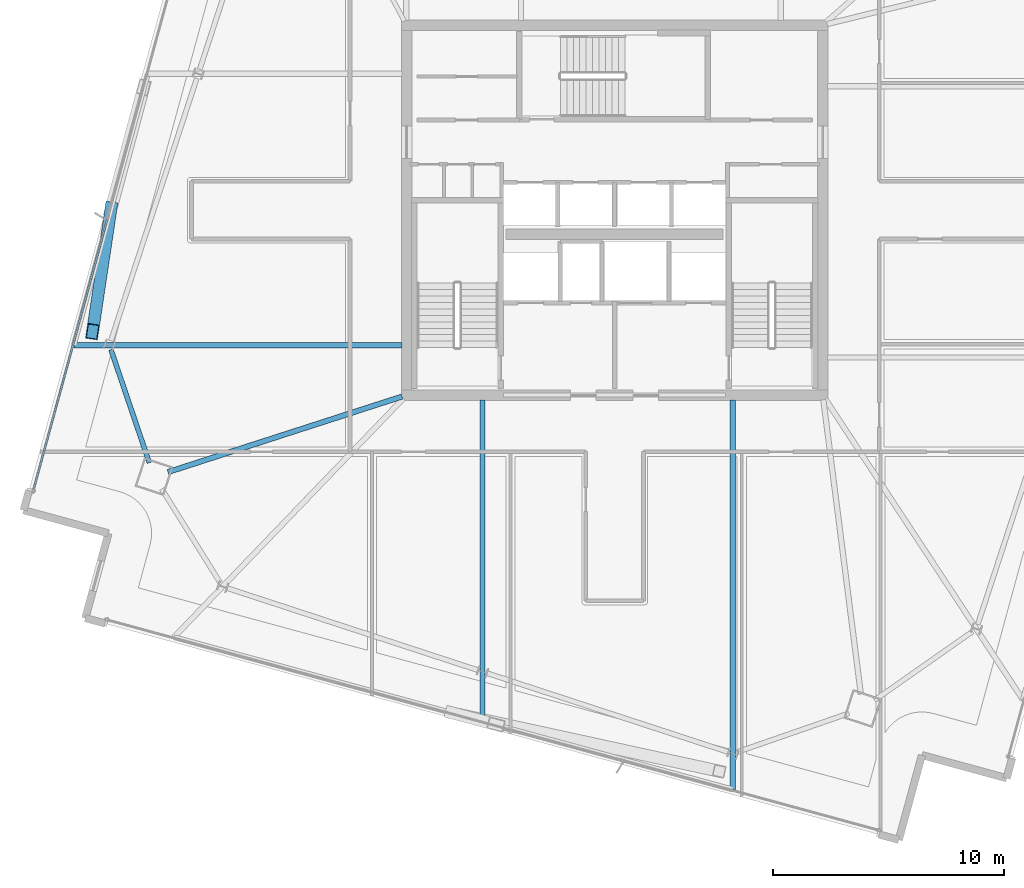
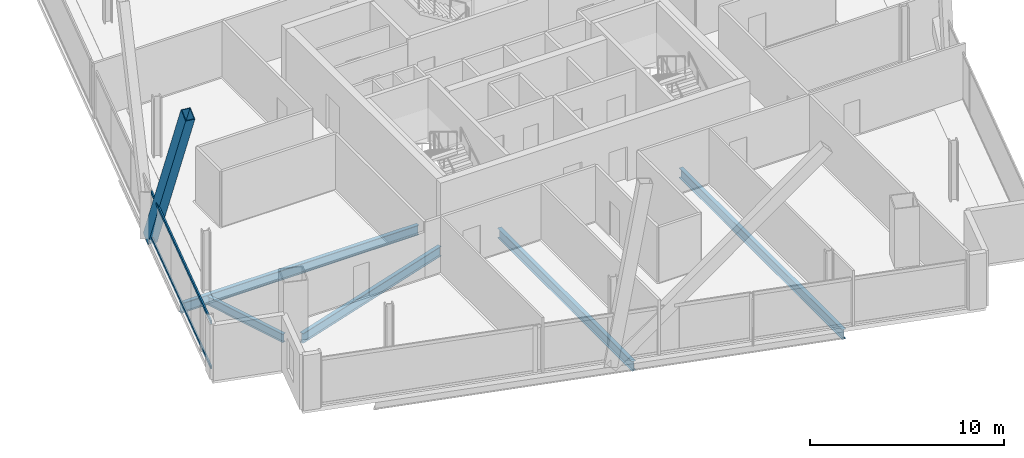
# One storey, part 4 of 26: 5 beams, 3 members, 1 element without a shape of its own.
"""IFC4 building model written with IfcOpenShell, lengths in metres."""

from ifc_helpers import new_model, si_unit, direction, frame, origin, origin_2d, place, context, subcontext, project, spatial, hollow_rectangle, i_section, extrude, material, material_profile, profile_set, type_object, element, aggregate, save


model = new_model("IFC4")

# Units and contexts
model_context = context("Model", 3, precision=1e-05, world=origin(), true_north=direction((0.0, 1.0)))
body_context = subcontext(model_context, "Body", "Model", "MODEL_VIEW")
ifc_project = project(units=[si_unit("LENGTHUNIT", "METRE"), si_unit("AREAUNIT", "SQUARE_METRE"), si_unit("VOLUMEUNIT", "CUBIC_METRE"), si_unit("PLANEANGLEUNIT", "RADIAN"), si_unit("MASSUNIT", "GRAM", prefix="KILO")], contexts=[model_context])

# Site, building, storey
site_placement = place(None, origin())
site = spatial("IfcSite", under=ifc_project, at=site_placement, CompositionType="ELEMENT")
building_placement = place(site_placement, origin())
building = spatial("IfcBuilding", under=site, at=building_placement, Name="Haldenkirk Collegiate Tower", CompositionType="ELEMENT")
storey_placement = place(building_placement, frame((0.0, 0.0, 278.699951171875)))
storey = spatial("IfcBuildingStorey", under=building, at=storey_placement, Name="L70", CompositionType="ELEMENT", Elevation=278.699951171875)

# Beams
ifc_material_1 = material(Name="Steel ASTM A992 Grade 50", Category="steel")
ifc_material_profile_1 = material_profile(ifc_material_1, i_section(OverallWidth=0.22998046875, OverallDepth=0.616943359375, WebThickness=0.01318359375, FlangeThickness=0.022216796875, at=origin_2d()), Name="W24X94")
ifc_profile_set_1 = profile_set([ifc_material_profile_1], Name="Steel ASTM A992 Grade 50")
beam_type_1 = type_object("IfcBeamType", Name="BM-GIRDER-W24X94", PredefinedType="BEAM", material=ifc_profile_set_1)
beam_1_placement = place(storey_placement, frame((16.677001953125, 14.66796875, -0.578369140625), z_axis=(0.95165454957, 0.307170340824, 0.0), x_axis=(-0.307170340824, 0.95165454957, 0.0)))
element("IfcBeam", 1, at=beam_1_placement, inside=storey, type_object=beam_type_1, Name="L70 primary floor girder 04", PredefinedType="BEAM", context=body_context, shape_type="SweptSolid", body=[
    extrude(i_section(OverallWidth=0.22998046875, OverallDepth=0.616943359375, WebThickness=0.01318359375, FlangeThickness=0.022216796875, at=origin_2d()), origin(), (0.0, 0.0, 1.0), 10.642333984375),
])
beam_2_placement = place(storey_placement, frame((12.609619140625, 20.157958984375, -0.578369140625), z_axis=(1.0, 0.0, 0.0), x_axis=(0.0, 1.0, 0.0)))
element("IfcBeam", 2, at=beam_2_placement, inside=storey, type_object=beam_type_1, Name="L70 primary floor girder 13", PredefinedType="BEAM", context=body_context, shape_type="SweptSolid", body=[
    extrude(i_section(OverallWidth=0.22998046875, OverallDepth=0.616943359375, WebThickness=0.01318359375, FlangeThickness=0.022216796875, at=origin_2d()), origin(), (0.0, 0.0, 1.0), 14.185302734375),
])
beam_3_placement = place(storey_placement, frame((30.283203125, 3.895263671875, -0.578369140625), z_axis=(0.0, 1.0, 0.0), x_axis=(-1.0, 0.0, 0.0)))
element("IfcBeam", 3, at=beam_3_placement, inside=storey, type_object=beam_type_1, Name="L70 primary floor girder 15", PredefinedType="BEAM", context=body_context, shape_type="SweptSolid", body=[
    extrude(i_section(OverallWidth=0.22998046875, OverallDepth=0.616943359375, WebThickness=0.01318359375, FlangeThickness=0.022216796875, at=origin_2d()), origin(), (0.0, 0.0, 1.0), 13.899658203125),
])
beam_4_placement = place(storey_placement, frame((41.111083984375, 0.943359375, -0.578369140625), z_axis=(0.0, 1.0, 0.0), x_axis=(-1.0, 0.0, 0.0)))
element("IfcBeam", 4, at=beam_4_placement, inside=storey, type_object=beam_type_1, Name="L70 primary floor girder 16", PredefinedType="BEAM", context=body_context, shape_type="SweptSolid", body=[
    extrude(i_section(OverallWidth=0.22998046875, OverallDepth=0.616943359375, WebThickness=0.01318359375, FlangeThickness=0.022216796875, at=origin_2d()), origin(), (0.0, 0.0, 1.0), 16.8515625),
])
ifc_material_profile_2 = material_profile(ifc_material_1, i_section(OverallWidth=0.2099609375, OverallDepth=0.537109375, WebThickness=0.010986328125, FlangeThickness=0.017333984375, at=origin_2d()), Name="W21X68")
ifc_profile_set_2 = profile_set([ifc_material_profile_2], Name="Steel ASTM A992 Grade 50")
beam_type_2 = type_object("IfcBeamType", Name="BM-SPANDREL-W21X68", PredefinedType="SPANDREL", material=ifc_profile_set_2)
beam_5_placement = place(storey_placement, frame((14.214599609375, 19.96630859375, -0.538330078125), z_axis=(0.321210878439, -0.947007693513, 0.0), x_axis=(0.947007693513, 0.321210878439, 0.0)))
element("IfcBeam", 5, at=beam_5_placement, inside=storey, type_object=beam_type_2, Name="L70 perimeter spandrel beam 12", PredefinedType="SPANDREL", context=body_context, shape_type="SweptSolid", body=[
    extrude(i_section(OverallWidth=0.2099609375, OverallDepth=0.537109375, WebThickness=0.010986328125, FlangeThickness=0.017333984375, at=origin_2d()), origin(), (0.0, 0.0, 1.0), 5.169189453125),
])

# Curtain wall, members
ifc_material_2 = material(Name="Anodised architectural bronze aluminium", Category="aluminium")
curtain_wall_type = type_object("IfcCurtainWallType", Name="CW-SYS1B-CONVEX-HI", PredefinedType="USERDEFINED", material=ifc_material_2)
curtain_wall_placement = place(storey_placement, origin())
curtain_wall = element("IfcCurtainWall", 6, at=curtain_wall_placement, inside=storey, type_object=curtain_wall_type, Name="L70 Upper tower high-wind convex bronze unitised curtain wall", ObjectType="UNITISED CURTAIN WALL", PredefinedType="USERDEFINED")
ifc_material_profile_3 = material_profile(ifc_material_2, hollow_rectangle(XDim=0.0849609375, YDim=0.199951171875, WallThickness=0.0048828125, at=origin_2d()), Name="CW-TRN-1B")
ifc_profile_set_3 = profile_set([ifc_material_profile_3], Name="Anodised architectural bronze aluminium")
member_type_1 = type_object("IfcMemberType", Name="CW-TRN-1B", PredefinedType="USERDEFINED", material=ifc_profile_set_3)
member_1_placement = place(storey_placement, frame((10.86767578125, 13.92041015625, 0.04248046875), z_axis=(0.263042320521, 0.9647842959, 0.0), x_axis=(-0.9647842959, 0.263042320521, 0.0)))
member_1 = element("IfcMember", 7, at=member_1_placement, type_object=member_type_1, Name="CW-1B transom 1.1", ObjectType="TRANSOM", PredefinedType="USERDEFINED", context=body_context, shape_type="SweptSolid", body=[
    extrude(hollow_rectangle(XDim=0.0849609375, YDim=0.199951171875, WallThickness=0.0048828125, at=origin_2d()), origin(), (0.0, 0.0, 1.0), 12.105712890625),
])
member_2_placement = place(storey_placement, frame((10.86767578125, 13.92041015625, 2.8955078125), z_axis=(0.263042320521, 0.9647842959, 0.0), x_axis=(-0.9647842959, 0.263042320521, 0.0)))
member_2 = element("IfcMember", 8, at=member_2_placement, type_object=member_type_1, Name="CW-1B transom 1.2", ObjectType="TRANSOM", PredefinedType="USERDEFINED", context=body_context, shape_type="SweptSolid", body=[
    extrude(hollow_rectangle(XDim=0.0849609375, YDim=0.199951171875, WallThickness=0.0048828125, at=origin_2d()), origin(), (0.0, 0.0, 1.0), 12.105712890625),
])
aggregate(curtain_wall, [member_1, member_2])

# Member
ifc_material_3 = material(Name="Steel ASTM A572 Grade 50", Category="steel")
ifc_material_profile_4 = material_profile(ifc_material_3, hollow_rectangle(XDim=0.52001953125, YDim=0.719970703125, WallThickness=0.035888671875, at=origin_2d()), Name="BOX720X520X36")
ifc_profile_set_4 = profile_set([ifc_material_profile_4], Name="Steel ASTM A572 Grade 50")
member_type_2 = type_object("IfcMemberType", Name="MBR-MEGABRACE-BOX720X520X36", PredefinedType="BRACE", material=ifc_profile_set_4)
member_3_placement = place(storey_placement, frame((14.20947265625, 26.02587890625, -0.280029296875), z_axis=(-0.063540663839, -0.424042276513, 0.903410610834), x_axis=(0.988958812114, -0.148190647282, 0.0)))
element("IfcMember", 9, at=member_3_placement, inside=storey, type_object=member_type_2, Name="Perimeter Mega Brace Z5 L70-L72 NR", PredefinedType="BRACE", context=body_context, shape_type="SweptSolid", body=[
    extrude(hollow_rectangle(XDim=0.52001953125, YDim=0.719970703125, WallThickness=0.035888671875, at=origin_2d()), origin(), (0.0, 0.0, 1.0), 12.452880859375),
])

save(model, "model.ifc")
